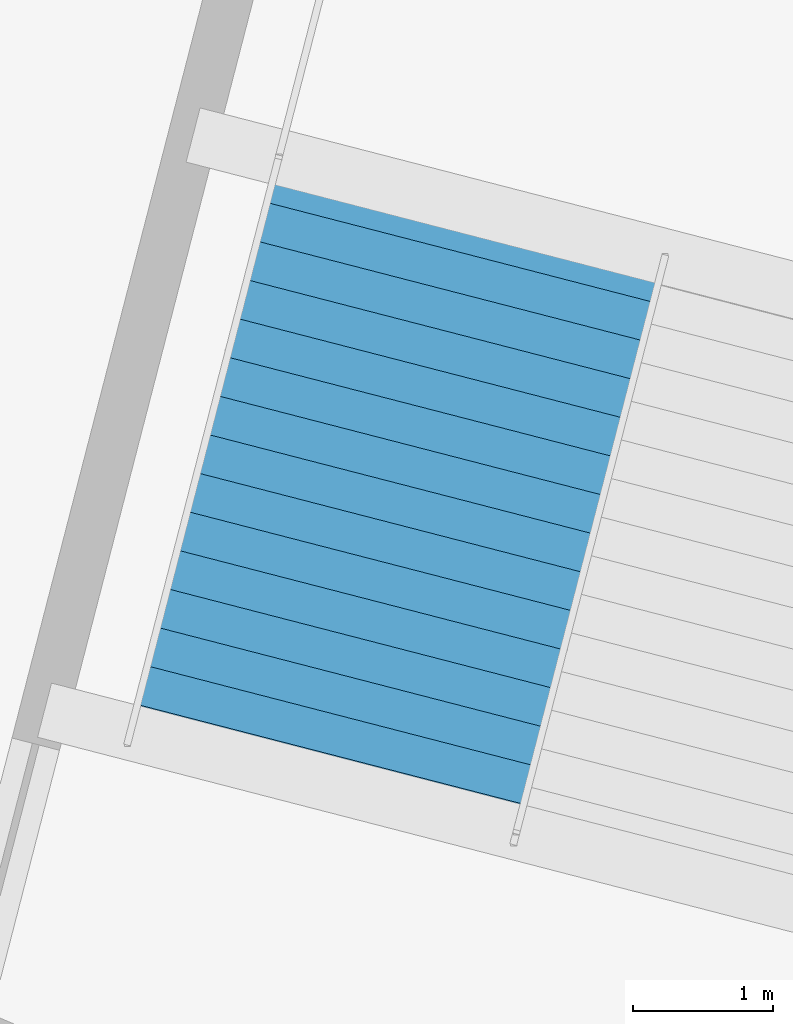
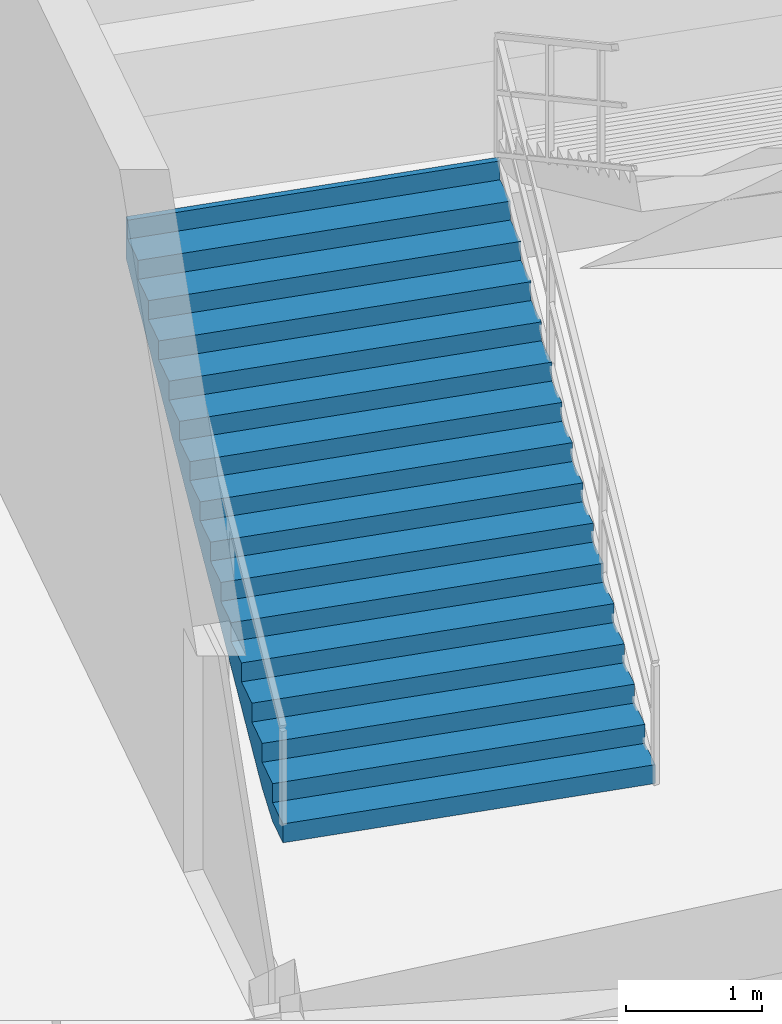
# One storey, part 30 of 49: 1 stair flight, 1 element without a shape of its own.
"""IFC4 building model written with IfcOpenShell, lengths in metres."""

from ifc_helpers import new_model, si_unit, direction, frame, origin, place, context, subcontext, project, spatial, polygons, material, type_object, element, aggregate, save


model = new_model("IFC4")

# Units and contexts
model_context = context("Model", 3, precision=1e-05, world=origin(), true_north=direction((0.0, 1.0)))
body_context = subcontext(model_context, "Body", "Model", "MODEL_VIEW")
ifc_project = project(units=[si_unit("LENGTHUNIT", "METRE"), si_unit("AREAUNIT", "SQUARE_METRE"), si_unit("VOLUMEUNIT", "CUBIC_METRE"), si_unit("PLANEANGLEUNIT", "RADIAN"), si_unit("MASSUNIT", "GRAM", prefix="KILO")], contexts=[model_context])

# Site, building, storey
site_placement = place(None, origin())
site = spatial("IfcSite", under=ifc_project, at=site_placement, CompositionType="ELEMENT")
building_placement = place(site_placement, origin())
building = spatial("IfcBuilding", under=site, at=building_placement, Name="Kazemori Nagisa Stadium", CompositionType="ELEMENT")
storey_placement = place(building_placement, frame((0.0, 0.0, -5.43994140625)))
storey = spatial("IfcBuildingStorey", under=building, at=storey_placement, Name="B1", CompositionType="ELEMENT", Elevation=-5.43994140625)

# Stair, stair flight
ifc_material = material(Name="Concrete C36/45 (Fc36)", Category="concrete")
stair_type = type_object("IfcStairType", Name="Stair_CORE_32", PredefinedType="TWO_STRAIGHT_RUN_STAIR", material=ifc_material)
stair_placement = place(storey_placement, origin())
stair = element("IfcStair", 1, at=stair_placement, inside=storey, type_object=stair_type, Name="Exit stair ST10 B1", PredefinedType="TWO_STRAIGHT_RUN_STAIR")
stair_flight_type = type_object("IfcStairFlightType", Name="Flight_CORE_16", PredefinedType="STRAIGHT", material=ifc_material)
stair_flight_placement = place(storey_placement, frame((205.068359375, 69.982666015625, 0.0), z_axis=(0.0, 0.0, 1.0), x_axis=(0.249959194257, 0.968256371632, 0.0)))
stair_flight = element("IfcStairFlight", 2, at=stair_flight_placement, type_object=stair_flight_type, Name="Exit stair ST10 B1 flight 1", NumberOfRisers=16, NumberOfTreads=15, PredefinedType="STRAIGHT", RiserHeight=0.17, TreadLength=0.285, context=body_context, shape_type="Tessellation", body=[
    polygons([(0.0, -1.425048828125, 0.0), (0.0, -1.425048828125, 0.169921875), (0.284912109375, -1.425048828125, 0.169921875), (0.284912109375, -1.425048828125, 0.340087890625), (0.570068359375, -1.425048828125, 0.340087890625), (0.570068359375, -1.425048828125, 0.510009765625), (0.85498046875, -1.425048828125, 0.510009765625), (0.85498046875, -1.425048828125, 0.679931640625), (1.139892578125, -1.425048828125, 0.679931640625), (1.139892578125, -1.425048828125, 0.85009765625), (1.425048828125, -1.425048828125, 0.85009765625), (1.425048828125, -1.425048828125, 1.02001953125), (1.7099609375, -1.425048828125, 1.02001953125), (1.7099609375, -1.425048828125, 1.18994140625), (1.9951171875, -1.425048828125, 1.18994140625), (1.9951171875, -1.425048828125, 1.360107421875), (2.280029296875, -1.425048828125, 1.360107421875), (2.280029296875, -1.425048828125, 1.530029296875), (2.56494140625, -1.425048828125, 1.530029296875), (2.56494140625, -1.425048828125, 1.699951171875), (2.85009765625, -1.425048828125, 1.699951171875), (2.85009765625, -1.425048828125, 1.8701171875), (3.135009765625, -1.425048828125, 1.8701171875), (3.135009765625, -1.425048828125, 2.0400390625), (3.419921875, -1.425048828125, 2.0400390625), (3.419921875, -1.425048828125, 2.2099609375), (3.705078125, -1.425048828125, 2.2099609375), (3.705078125, -1.425048828125, 2.3798828125), (3.989990234375, -1.425048828125, 2.3798828125), (3.989990234375, -1.425048828125, 2.550048828125), (4.27490234375, -1.425048828125, 2.550048828125), (4.27490234375, -1.425048828125, 2.719970703125), (4.324951171875, -1.425048828125, 2.719970703125), (4.324951171875, -1.425048828125, 2.346923828125), (4.27490234375, -1.425048828125, 2.317138671875), (3.989990234375, -1.425048828125, 2.147216796875), (3.705078125, -1.425048828125, 1.977294921875), (3.419921875, -1.425048828125, 1.80712890625), (3.135009765625, -1.425048828125, 1.63720703125), (2.85009765625, -1.425048828125, 1.46728515625), (2.56494140625, -1.425048828125, 1.297119140625), (2.280029296875, -1.425048828125, 1.127197265625), (1.9951171875, -1.425048828125, 0.957275390625), (1.7099609375, -1.425048828125, 0.787109375), (1.425048828125, -1.425048828125, 0.6171875), (1.139892578125, -1.425048828125, 0.447265625), (0.85498046875, -1.425048828125, 0.277099609375), (0.570068359375, -1.425048828125, 0.107177734375), (0.284912109375, -1.425048828125, 0.0), (0.0, -0.08544921875, 0.0), (0.0, -0.08544921875, 0.169921875), (0.284912109375, -0.08544921875, 0.169921875), (0.284912109375, -0.08544921875, 0.340087890625), (0.570068359375, -0.08544921875, 0.340087890625), (0.570068359375, -0.08544921875, 0.510009765625), (0.85498046875, -0.08544921875, 0.510009765625), (0.85498046875, -0.08544921875, 0.679931640625), (1.139892578125, -0.08544921875, 0.679931640625), (1.139892578125, -0.08544921875, 0.85009765625), (1.425048828125, -0.08544921875, 0.85009765625), (1.425048828125, -0.08544921875, 1.02001953125), (1.7099609375, -0.08544921875, 1.02001953125), (1.7099609375, -0.08544921875, 1.18994140625), (1.9951171875, -0.08544921875, 1.18994140625), (1.9951171875, -0.08544921875, 1.360107421875), (2.280029296875, -0.08544921875, 1.360107421875), (2.280029296875, -0.08544921875, 1.530029296875), (2.56494140625, -0.08544921875, 1.530029296875), (2.56494140625, -0.08544921875, 1.699951171875), (2.85009765625, -0.08544921875, 1.699951171875), (2.85009765625, -0.08544921875, 1.8701171875), (3.135009765625, -0.08544921875, 1.8701171875), (3.135009765625, -0.08544921875, 2.0400390625), (3.419921875, -0.08544921875, 2.0400390625), (3.419921875, -0.08544921875, 2.2099609375), (3.705078125, -0.08544921875, 2.2099609375), (3.705078125, -0.08544921875, 2.3798828125), (3.989990234375, -0.08544921875, 2.3798828125), (3.989990234375, -0.08544921875, 2.550048828125), (4.27490234375, -0.08544921875, 2.550048828125), (4.27490234375, -0.08544921875, 2.719970703125), (4.324951171875, -0.08544921875, 2.719970703125), (4.324951171875, -0.08544921875, 2.346923828125), (4.27490234375, -0.08544921875, 2.317138671875), (3.989990234375, -0.08544921875, 2.147216796875), (3.705078125, -0.08544921875, 1.977294921875), (3.419921875, -0.08544921875, 1.80712890625), (3.135009765625, -0.08544921875, 1.63720703125), (2.85009765625, -0.08544921875, 1.46728515625), (2.56494140625, -0.08544921875, 1.297119140625), (2.280029296875, -0.08544921875, 1.127197265625), (1.9951171875, -0.08544921875, 0.957275390625), (1.7099609375, -0.08544921875, 0.787109375), (1.425048828125, -0.08544921875, 0.6171875), (1.139892578125, -0.08544921875, 0.447265625), (0.85498046875, -0.08544921875, 0.277099609375), (0.570068359375, -0.08544921875, 0.107177734375), (0.284912109375, -0.08544921875, 0.0), (0.0, 0.0, 0.0), (0.0, 0.0, 0.169921875), (0.284912109375, 0.0, 0.169921875), (0.284912109375, 0.0, 0.340087890625), (0.570068359375, 0.0, 0.340087890625), (0.570068359375, 0.0, 0.510009765625), (0.85498046875, 0.0, 0.510009765625), (0.85498046875, 0.0, 0.679931640625), (1.139892578125, 0.0, 0.679931640625), (1.139892578125, 0.0, 0.85009765625), (1.425048828125, 0.0, 0.85009765625), (1.425048828125, 0.0, 1.02001953125), (1.7099609375, 0.0, 1.02001953125), (1.7099609375, 0.0, 1.18994140625), (1.9951171875, 0.0, 1.18994140625), (1.9951171875, 0.0, 1.360107421875), (2.280029296875, 0.0, 1.360107421875), (2.280029296875, 0.0, 1.530029296875), (2.56494140625, 0.0, 1.530029296875), (2.56494140625, 0.0, 1.699951171875), (2.85009765625, 0.0, 1.699951171875), (2.85009765625, 0.0, 1.8701171875), (3.135009765625, 0.0, 1.8701171875), (3.135009765625, 0.0, 2.0400390625), (3.419921875, 0.0, 2.0400390625), (3.419921875, 0.0, 2.2099609375), (3.705078125, 0.0, 2.2099609375), (3.705078125, 0.0, 2.3798828125), (3.989990234375, 0.0, 2.3798828125), (3.989990234375, 0.0, 2.550048828125), (4.27490234375, 0.0, 2.550048828125), (4.27490234375, 0.0, 2.719970703125), (4.324951171875, 0.0, 2.719970703125), (4.324951171875, 0.0, 2.346923828125), (4.27490234375, 0.0, 2.317138671875), (3.989990234375, 0.0, 2.147216796875), (3.705078125, 0.0, 1.977294921875), (3.419921875, 0.0, 1.80712890625), (3.135009765625, 0.0, 1.63720703125), (2.85009765625, 0.0, 1.46728515625), (2.56494140625, 0.0, 1.297119140625), (2.280029296875, 0.0, 1.127197265625), (1.9951171875, 0.0, 0.957275390625), (1.7099609375, 0.0, 0.787109375), (1.425048828125, 0.0, 0.6171875), (1.139892578125, 0.0, 0.447265625), (0.85498046875, 0.0, 0.277099609375), (0.570068359375, 0.0, 0.107177734375), (0.284912109375, 0.0, 0.0), (0.0, 0.08544921875, 0.0), (0.0, 0.08544921875, 0.169921875), (0.284912109375, 0.08544921875, 0.169921875), (0.284912109375, 0.08544921875, 0.340087890625), (0.570068359375, 0.08544921875, 0.340087890625), (0.570068359375, 0.08544921875, 0.510009765625), (0.85498046875, 0.08544921875, 0.510009765625), (0.85498046875, 0.08544921875, 0.679931640625), (1.139892578125, 0.08544921875, 0.679931640625), (1.139892578125, 0.08544921875, 0.85009765625), (1.425048828125, 0.08544921875, 0.85009765625), (1.425048828125, 0.08544921875, 1.02001953125), (1.7099609375, 0.08544921875, 1.02001953125), (1.7099609375, 0.08544921875, 1.18994140625), (1.9951171875, 0.08544921875, 1.18994140625), (1.9951171875, 0.08544921875, 1.360107421875), (2.280029296875, 0.08544921875, 1.360107421875), (2.280029296875, 0.08544921875, 1.530029296875), (2.56494140625, 0.08544921875, 1.530029296875), (2.56494140625, 0.08544921875, 1.699951171875), (2.85009765625, 0.08544921875, 1.699951171875), (2.85009765625, 0.08544921875, 1.8701171875), (3.135009765625, 0.08544921875, 1.8701171875), (3.135009765625, 0.08544921875, 2.0400390625), (3.419921875, 0.08544921875, 2.0400390625), (3.419921875, 0.08544921875, 2.2099609375), (3.705078125, 0.08544921875, 2.2099609375), (3.705078125, 0.08544921875, 2.3798828125), (3.989990234375, 0.08544921875, 2.3798828125), (3.989990234375, 0.08544921875, 2.550048828125), (4.27490234375, 0.08544921875, 2.550048828125), (4.27490234375, 0.08544921875, 2.719970703125), (4.324951171875, 0.08544921875, 2.719970703125), (4.324951171875, 0.08544921875, 2.346923828125), (4.27490234375, 0.08544921875, 2.317138671875), (3.989990234375, 0.08544921875, 2.147216796875), (3.705078125, 0.08544921875, 1.977294921875), (3.419921875, 0.08544921875, 1.80712890625), (3.135009765625, 0.08544921875, 1.63720703125), (2.85009765625, 0.08544921875, 1.46728515625), (2.56494140625, 0.08544921875, 1.297119140625), (2.280029296875, 0.08544921875, 1.127197265625), (1.9951171875, 0.08544921875, 0.957275390625), (1.7099609375, 0.08544921875, 0.787109375), (1.425048828125, 0.08544921875, 0.6171875), (1.139892578125, 0.08544921875, 0.447265625), (0.85498046875, 0.08544921875, 0.277099609375), (0.570068359375, 0.08544921875, 0.107177734375), (0.284912109375, 0.08544921875, 0.0), (0.0, 1.425048828125, 0.0), (0.0, 1.425048828125, 0.169921875), (0.284912109375, 1.425048828125, 0.169921875), (0.284912109375, 1.425048828125, 0.340087890625), (0.570068359375, 1.425048828125, 0.340087890625), (0.570068359375, 1.425048828125, 0.510009765625), (0.85498046875, 1.425048828125, 0.510009765625), (0.85498046875, 1.425048828125, 0.679931640625), (1.139892578125, 1.425048828125, 0.679931640625), (1.139892578125, 1.425048828125, 0.85009765625), (1.425048828125, 1.425048828125, 0.85009765625), (1.425048828125, 1.425048828125, 1.02001953125), (1.7099609375, 1.425048828125, 1.02001953125), (1.7099609375, 1.425048828125, 1.18994140625), (1.9951171875, 1.425048828125, 1.18994140625), (1.9951171875, 1.425048828125, 1.360107421875), (2.280029296875, 1.425048828125, 1.360107421875), (2.280029296875, 1.425048828125, 1.530029296875), (2.56494140625, 1.425048828125, 1.530029296875), (2.56494140625, 1.425048828125, 1.699951171875), (2.85009765625, 1.425048828125, 1.699951171875), (2.85009765625, 1.425048828125, 1.8701171875), (3.135009765625, 1.425048828125, 1.8701171875), (3.135009765625, 1.425048828125, 2.0400390625), (3.419921875, 1.425048828125, 2.0400390625), (3.419921875, 1.425048828125, 2.2099609375), (3.705078125, 1.425048828125, 2.2099609375), (3.705078125, 1.425048828125, 2.3798828125), (3.989990234375, 1.425048828125, 2.3798828125), (3.989990234375, 1.425048828125, 2.550048828125), (4.27490234375, 1.425048828125, 2.550048828125), (4.27490234375, 1.425048828125, 2.719970703125), (4.324951171875, 1.425048828125, 2.719970703125), (4.324951171875, 1.425048828125, 2.346923828125), (4.27490234375, 1.425048828125, 2.317138671875), (3.989990234375, 1.425048828125, 2.147216796875), (3.705078125, 1.425048828125, 1.977294921875), (3.419921875, 1.425048828125, 1.80712890625), (3.135009765625, 1.425048828125, 1.63720703125), (2.85009765625, 1.425048828125, 1.46728515625), (2.56494140625, 1.425048828125, 1.297119140625), (2.280029296875, 1.425048828125, 1.127197265625), (1.9951171875, 1.425048828125, 0.957275390625), (1.7099609375, 1.425048828125, 0.787109375), (1.425048828125, 1.425048828125, 0.6171875), (1.139892578125, 1.425048828125, 0.447265625), (0.85498046875, 1.425048828125, 0.277099609375), (0.570068359375, 1.425048828125, 0.107177734375), (0.284912109375, 1.425048828125, 0.0)], [[[1, 2, 51]], [[1, 51, 50]], [[2, 3, 52]], [[2, 52, 51]], [[3, 4, 53]], [[3, 53, 52]], [[4, 5, 54]], [[4, 54, 53]], [[5, 6, 55]], [[5, 55, 54]], [[6, 7, 56]], [[6, 56, 55]], [[7, 8, 57]], [[7, 57, 56]], [[8, 9, 58]], [[8, 58, 57]], [[9, 10, 59]], [[9, 59, 58]], [[10, 11, 60]], [[10, 60, 59]], [[11, 12, 61]], [[11, 61, 60]], [[12, 13, 62]], [[12, 62, 61]], [[13, 14, 63]], [[13, 63, 62]], [[14, 15, 64]], [[14, 64, 63]], [[15, 16, 65]], [[15, 65, 64]], [[16, 17, 66]], [[16, 66, 65]], [[17, 18, 67]], [[17, 67, 66]], [[18, 19, 68]], [[18, 68, 67]], [[19, 20, 69]], [[19, 69, 68]], [[20, 21, 70]], [[20, 70, 69]], [[21, 22, 71]], [[21, 71, 70]], [[22, 23, 72]], [[22, 72, 71]], [[23, 24, 73]], [[23, 73, 72]], [[24, 25, 74]], [[24, 74, 73]], [[25, 26, 75]], [[25, 75, 74]], [[26, 27, 76]], [[26, 76, 75]], [[27, 28, 77]], [[27, 77, 76]], [[28, 29, 78]], [[28, 78, 77]], [[29, 30, 79]], [[29, 79, 78]], [[30, 31, 80]], [[30, 80, 79]], [[31, 32, 81]], [[31, 81, 80]], [[32, 33, 82]], [[32, 82, 81]], [[33, 34, 83]], [[33, 83, 82]], [[34, 35, 84]], [[34, 84, 83]], [[35, 36, 85]], [[35, 85, 84]], [[36, 37, 86]], [[36, 86, 85]], [[37, 38, 87]], [[37, 87, 86]], [[38, 39, 88]], [[38, 88, 87]], [[39, 40, 89]], [[39, 89, 88]], [[40, 41, 90]], [[40, 90, 89]], [[41, 42, 91]], [[41, 91, 90]], [[42, 43, 92]], [[42, 92, 91]], [[43, 44, 93]], [[43, 93, 92]], [[44, 45, 94]], [[44, 94, 93]], [[45, 46, 95]], [[45, 95, 94]], [[46, 47, 96]], [[46, 96, 95]], [[47, 48, 97]], [[47, 97, 96]], [[48, 49, 98]], [[48, 98, 97]], [[49, 1, 50]], [[49, 50, 98]], [[50, 51, 100]], [[50, 100, 99]], [[51, 52, 101]], [[51, 101, 100]], [[52, 53, 102]], [[52, 102, 101]], [[53, 54, 103]], [[53, 103, 102]], [[54, 55, 104]], [[54, 104, 103]], [[55, 56, 105]], [[55, 105, 104]], [[56, 57, 106]], [[56, 106, 105]], [[57, 58, 107]], [[57, 107, 106]], [[58, 59, 108]], [[58, 108, 107]], [[59, 60, 109]], [[59, 109, 108]], [[60, 61, 110]], [[60, 110, 109]], [[61, 62, 111]], [[61, 111, 110]], [[62, 63, 112]], [[62, 112, 111]], [[63, 64, 113]], [[63, 113, 112]], [[64, 65, 114]], [[64, 114, 113]], [[65, 66, 115]], [[65, 115, 114]], [[66, 67, 116]], [[66, 116, 115]], [[67, 68, 117]], [[67, 117, 116]], [[68, 69, 118]], [[68, 118, 117]], [[69, 70, 119]], [[69, 119, 118]], [[70, 71, 120]], [[70, 120, 119]], [[71, 72, 121]], [[71, 121, 120]], [[72, 73, 122]], [[72, 122, 121]], [[73, 74, 123]], [[73, 123, 122]], [[74, 75, 124]], [[74, 124, 123]], [[75, 76, 125]], [[75, 125, 124]], [[76, 77, 126]], [[76, 126, 125]], [[77, 78, 127]], [[77, 127, 126]], [[78, 79, 128]], [[78, 128, 127]], [[79, 80, 129]], [[79, 129, 128]], [[80, 81, 130]], [[80, 130, 129]], [[81, 82, 131]], [[81, 131, 130]], [[82, 83, 132]], [[82, 132, 131]], [[83, 84, 133]], [[83, 133, 132]], [[84, 85, 134]], [[84, 134, 133]], [[85, 86, 135]], [[85, 135, 134]], [[86, 87, 136]], [[86, 136, 135]], [[87, 88, 137]], [[87, 137, 136]], [[88, 89, 138]], [[88, 138, 137]], [[89, 90, 139]], [[89, 139, 138]], [[90, 91, 140]], [[90, 140, 139]], [[91, 92, 141]], [[91, 141, 140]], [[92, 93, 142]], [[92, 142, 141]], [[93, 94, 143]], [[93, 143, 142]], [[94, 95, 144]], [[94, 144, 143]], [[95, 96, 145]], [[95, 145, 144]], [[96, 97, 146]], [[96, 146, 145]], [[97, 98, 147]], [[97, 147, 146]], [[98, 50, 99]], [[98, 99, 147]], [[99, 100, 149]], [[99, 149, 148]], [[100, 101, 150]], [[100, 150, 149]], [[101, 102, 151]], [[101, 151, 150]], [[102, 103, 152]], [[102, 152, 151]], [[103, 104, 153]], [[103, 153, 152]], [[104, 105, 154]], [[104, 154, 153]], [[105, 106, 155]], [[105, 155, 154]], [[106, 107, 156]], [[106, 156, 155]], [[107, 108, 157]], [[107, 157, 156]], [[108, 109, 158]], [[108, 158, 157]], [[109, 110, 159]], [[109, 159, 158]], [[110, 111, 160]], [[110, 160, 159]], [[111, 112, 161]], [[111, 161, 160]], [[112, 113, 162]], [[112, 162, 161]], [[113, 114, 163]], [[113, 163, 162]], [[114, 115, 164]], [[114, 164, 163]], [[115, 116, 165]], [[115, 165, 164]], [[116, 117, 166]], [[116, 166, 165]], [[117, 118, 167]], [[117, 167, 166]], [[118, 119, 168]], [[118, 168, 167]], [[119, 120, 169]], [[119, 169, 168]], [[120, 121, 170]], [[120, 170, 169]], [[121, 122, 171]], [[121, 171, 170]], [[122, 123, 172]], [[122, 172, 171]], [[123, 124, 173]], [[123, 173, 172]], [[124, 125, 174]], [[124, 174, 173]], [[125, 126, 175]], [[125, 175, 174]], [[126, 127, 176]], [[126, 176, 175]], [[127, 128, 177]], [[127, 177, 176]], [[128, 129, 178]], [[128, 178, 177]], [[129, 130, 179]], [[129, 179, 178]], [[130, 131, 180]], [[130, 180, 179]], [[131, 132, 181]], [[131, 181, 180]], [[132, 133, 182]], [[132, 182, 181]], [[133, 134, 183]], [[133, 183, 182]], [[134, 135, 184]], [[134, 184, 183]], [[135, 136, 185]], [[135, 185, 184]], [[136, 137, 186]], [[136, 186, 185]], [[137, 138, 187]], [[137, 187, 186]], [[138, 139, 188]], [[138, 188, 187]], [[139, 140, 189]], [[139, 189, 188]], [[140, 141, 190]], [[140, 190, 189]], [[141, 142, 191]], [[141, 191, 190]], [[142, 143, 192]], [[142, 192, 191]], [[143, 144, 193]], [[143, 193, 192]], [[144, 145, 194]], [[144, 194, 193]], [[145, 146, 195]], [[145, 195, 194]], [[146, 147, 196]], [[146, 196, 195]], [[147, 99, 148]], [[147, 148, 196]], [[148, 149, 198]], [[148, 198, 197]], [[149, 150, 199]], [[149, 199, 198]], [[150, 151, 200]], [[150, 200, 199]], [[151, 152, 201]], [[151, 201, 200]], [[152, 153, 202]], [[152, 202, 201]], [[153, 154, 203]], [[153, 203, 202]], [[154, 155, 204]], [[154, 204, 203]], [[155, 156, 205]], [[155, 205, 204]], [[156, 157, 206]], [[156, 206, 205]], [[157, 158, 207]], [[157, 207, 206]], [[158, 159, 208]], [[158, 208, 207]], [[159, 160, 209]], [[159, 209, 208]], [[160, 161, 210]], [[160, 210, 209]], [[161, 162, 211]], [[161, 211, 210]], [[162, 163, 212]], [[162, 212, 211]], [[163, 164, 213]], [[163, 213, 212]], [[164, 165, 214]], [[164, 214, 213]], [[165, 166, 215]], [[165, 215, 214]], [[166, 167, 216]], [[166, 216, 215]], [[167, 168, 217]], [[167, 217, 216]], [[168, 169, 218]], [[168, 218, 217]], [[169, 170, 219]], [[169, 219, 218]], [[170, 171, 220]], [[170, 220, 219]], [[171, 172, 221]], [[171, 221, 220]], [[172, 173, 222]], [[172, 222, 221]], [[173, 174, 223]], [[173, 223, 222]], [[174, 175, 224]], [[174, 224, 223]], [[175, 176, 225]], [[175, 225, 224]], [[176, 177, 226]], [[176, 226, 225]], [[177, 178, 227]], [[177, 227, 226]], [[178, 179, 228]], [[178, 228, 227]], [[179, 180, 229]], [[179, 229, 228]], [[180, 181, 230]], [[180, 230, 229]], [[181, 182, 231]], [[181, 231, 230]], [[182, 183, 232]], [[182, 232, 231]], [[183, 184, 233]], [[183, 233, 232]], [[184, 185, 234]], [[184, 234, 233]], [[185, 186, 235]], [[185, 235, 234]], [[186, 187, 236]], [[186, 236, 235]], [[187, 188, 237]], [[187, 237, 236]], [[188, 189, 238]], [[188, 238, 237]], [[189, 190, 239]], [[189, 239, 238]], [[190, 191, 240]], [[190, 240, 239]], [[191, 192, 241]], [[191, 241, 240]], [[192, 193, 242]], [[192, 242, 241]], [[193, 194, 243]], [[193, 243, 242]], [[194, 195, 244]], [[194, 244, 243]], [[195, 196, 245]], [[195, 245, 244]], [[196, 148, 197]], [[196, 197, 245]], [[3, 2, 1]], [[197, 198, 199]], [[49, 3, 1]], [[197, 199, 245]], [[48, 3, 49]], [[245, 199, 244]], [[5, 3, 48]], [[244, 199, 201]], [[5, 4, 3]], [[199, 200, 201]], [[47, 5, 48]], [[244, 201, 243]], [[7, 5, 47]], [[243, 201, 203]], [[7, 6, 5]], [[201, 202, 203]], [[46, 7, 47]], [[243, 203, 242]], [[9, 7, 46]], [[242, 203, 205]], [[9, 8, 7]], [[203, 204, 205]], [[45, 9, 46]], [[242, 205, 241]], [[11, 9, 45]], [[241, 205, 207]], [[11, 10, 9]], [[205, 206, 207]], [[44, 11, 45]], [[241, 207, 240]], [[13, 11, 44]], [[240, 207, 209]], [[13, 12, 11]], [[207, 208, 209]], [[43, 13, 44]], [[240, 209, 239]], [[15, 13, 43]], [[239, 209, 211]], [[15, 14, 13]], [[209, 210, 211]], [[42, 15, 43]], [[239, 211, 238]], [[17, 15, 42]], [[238, 211, 213]], [[17, 16, 15]], [[211, 212, 213]], [[41, 17, 42]], [[238, 213, 237]], [[19, 17, 41]], [[237, 213, 215]], [[19, 18, 17]], [[213, 214, 215]], [[40, 19, 41]], [[237, 215, 236]], [[21, 19, 40]], [[236, 215, 217]], [[21, 20, 19]], [[215, 216, 217]], [[39, 21, 40]], [[236, 217, 235]], [[23, 21, 39]], [[235, 217, 219]], [[23, 22, 21]], [[217, 218, 219]], [[38, 23, 39]], [[235, 219, 234]], [[25, 23, 38]], [[234, 219, 221]], [[25, 24, 23]], [[219, 220, 221]], [[37, 25, 38]], [[234, 221, 233]], [[27, 25, 37]], [[233, 221, 223]], [[27, 26, 25]], [[221, 222, 223]], [[36, 27, 37]], [[233, 223, 232]], [[29, 27, 36]], [[232, 223, 225]], [[29, 28, 27]], [[223, 224, 225]], [[35, 29, 36]], [[232, 225, 231]], [[31, 29, 35]], [[231, 225, 227]], [[31, 30, 29]], [[225, 226, 227]], [[34, 31, 35]], [[231, 227, 230]], [[33, 31, 34]], [[230, 227, 229]], [[33, 32, 31]], [[227, 228, 229]]], closed=True),
])
aggregate(stair, [stair_flight])

save(model, "model.ifc")
